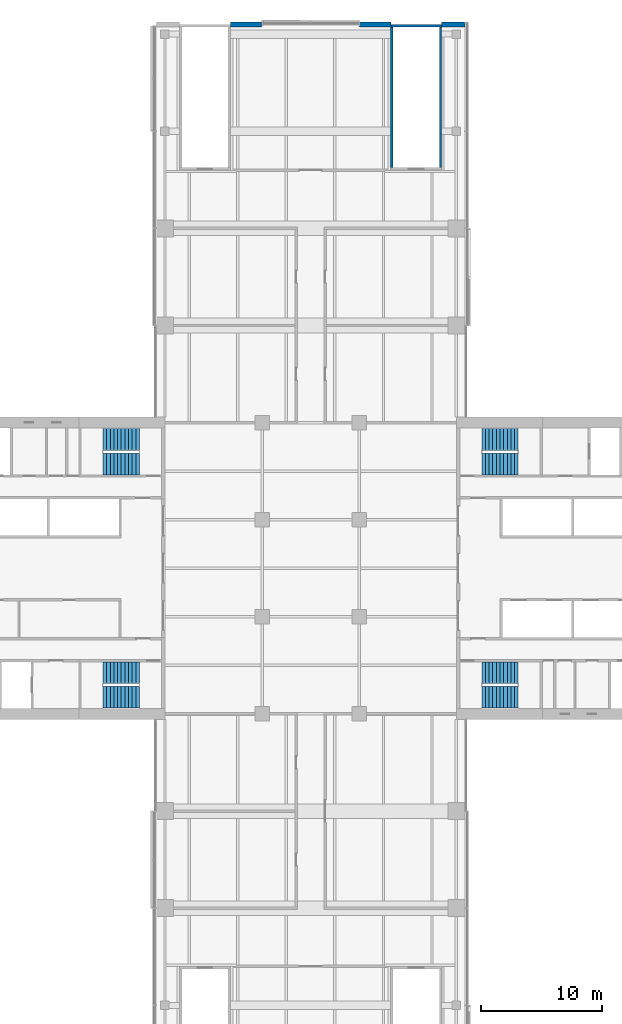
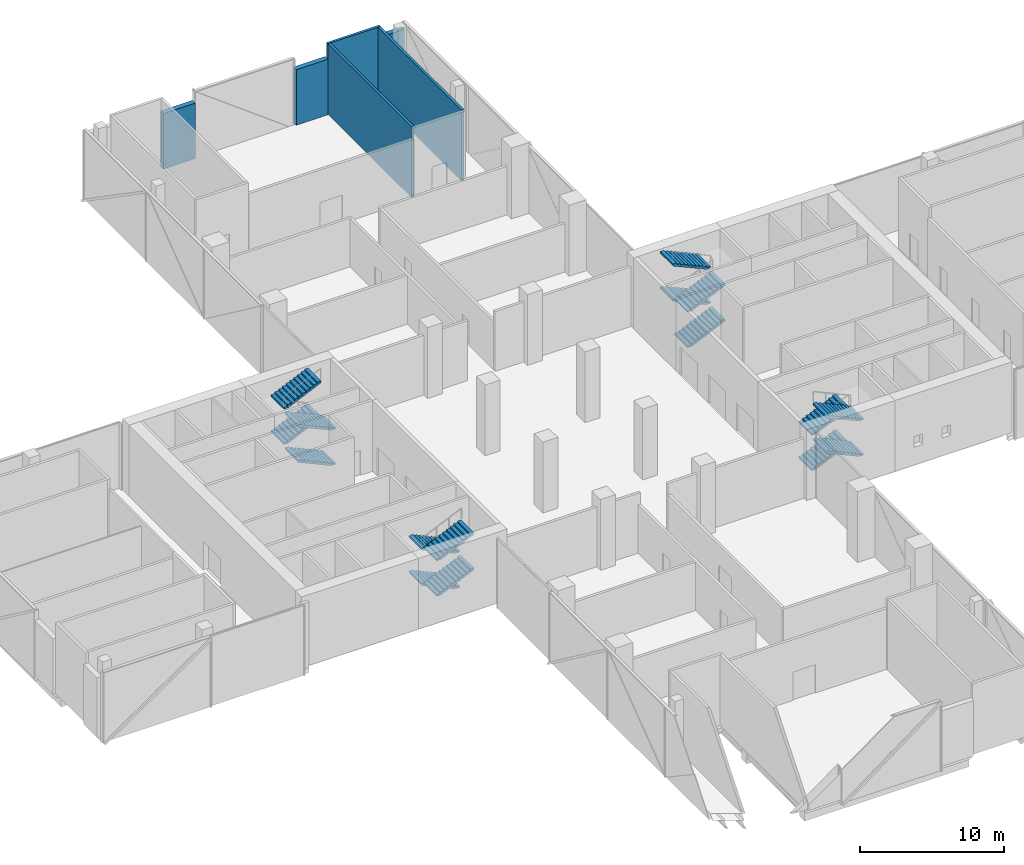
# One storey, part 18 of 23: 16 stair flights, 6 walls, 4 elements without a shape of their own.
"""IFC4 building model written with IfcOpenShell, lengths in metres."""

from ifc_helpers import new_model, si_unit, direction, frame, frame_2d, origin, place, context, subcontext, project, spatial, polyline, rectangle, outline, extrude, material, layer, layer_set, type_object, element, aggregate, save


model = new_model("IFC4")

# Units and contexts
model_context = context("Model", 3, precision=1e-05, world=origin(), true_north=direction((0.0, 1.0)))
body_context = subcontext(model_context, "Body", "Model", "MODEL_VIEW")
ifc_project = project(units=[si_unit("LENGTHUNIT", "METRE"), si_unit("AREAUNIT", "SQUARE_METRE"), si_unit("VOLUMEUNIT", "CUBIC_METRE"), si_unit("PLANEANGLEUNIT", "RADIAN"), si_unit("MASSUNIT", "GRAM", prefix="KILO")], contexts=[model_context])

# Site, building, storey
site_placement = place(None, origin())
site = spatial("IfcSite", under=ifc_project, at=site_placement, CompositionType="ELEMENT")
building_placement = place(site_placement, origin())
building = spatial("IfcBuilding", under=site, at=building_placement, Name="Crosswind Convention Tower", CompositionType="ELEMENT")
storey_placement = place(building_placement, frame((0.0, 0.0, 41.5)))
storey = spatial("IfcBuildingStorey", under=building, at=storey_placement, Name="L05", CompositionType="ELEMENT", Elevation=41.5)

# Walls
ifc_material_1 = material(Name="Concrete C40/50", Category="concrete")
ifc_layer_1 = layer(ifc_material_1, 0.199951171875)
ifc_layer_set_1 = layer_set([ifc_layer_1], Name="Concrete C40/50")
wall_type_1 = type_object("IfcWallType", Name="STAIR ENCLOSURE WALL 200", PredefinedType="SOLIDWALL", material=ifc_layer_set_1)
wall_1_placement = place(storey_placement, frame((131.60009765625, 144.699951171875, 0.0), z_axis=(0.0, 0.0, 1.0), x_axis=(1.0, 0.0, 0.0)))
element("IfcWall", 1, at=wall_1_placement, inside=storey, type_object=wall_type_1, Name="Stair Enclosure Wall 37", PredefinedType="SOLIDWALL", context=body_context, shape_type="SweptSolid", body=[
    extrude(rectangle(XDim=4.199951171875, YDim=0.199951171875, at=frame_2d((2.10009765625, 0.0))), origin(), (0.0, 0.0, 1.0), 6.0),
])
for number, where, z_axis, x_axis, name in (
    (2, (131.699951171875, 133.0, 0.0), (0.0, 0.0, 1.0), (0.0, 1.0, 0.0), "Stair Enclosure Wall 53"),
    (3, (135.699951171875, 133.0, 0.0), (0.0, 0.0, 1.0), (0.0, 1.0, 0.0), "Stair Enclosure Wall 55"),
):
    element("IfcWall", number, at=place(storey_placement, frame(where, z_axis=z_axis, x_axis=x_axis)), inside=storey, type_object=wall_type_1, Name=name, PredefinedType="SOLIDWALL", context=body_context, shape_type="SweptSolid", body=[
        extrude(rectangle(XDim=11.60009765625, YDim=0.199951171875, at=frame_2d((5.800048828125, 0.0))), origin(), (0.0, 0.0, 1.0), 6.0),
    ])
ifc_material_2 = material(Name="Terracotta rainscreen", Category="ceramic")
ifc_layer_2 = layer(ifc_material_2, 0.02001953125)
ifc_material_3 = material(Name="Mineral wool insulation", Category="insulation")
ifc_layer_3 = layer(ifc_material_3, 0.10009765625)
ifc_material_4 = material(Name="Concrete blockwork", Category="masonry")
ifc_layer_4 = layer(ifc_material_4, 0.280029296875)
ifc_layer_set_2 = layer_set([ifc_layer_2, ifc_layer_3, ifc_layer_4], Name="TERRACOTTA INFILL WALL 400")
wall_type_2 = type_object("IfcWallType", Name="TERRACOTTA INFILL WALL 400", PredefinedType="SOLIDWALL", material=ifc_layer_set_2)
wall_2_placement = place(storey_placement, frame((137.699951171875, 144.784912109375, 0.0), z_axis=(0.0, 0.0, 1.0), x_axis=(-1.0, 0.0, 0.0)))
element("IfcWall", 4, at=wall_2_placement, inside=storey, type_object=wall_type_2, Name="Stair enclosure side wall L05 N-TIP.1-1.1", PredefinedType="SOLIDWALL", context=body_context, shape_type="SweptSolid", body=[
    extrude(rectangle(XDim=1.89990234375, YDim=0.39990234375, at=frame_2d((0.949951171875, 0.0))), origin(), (0.0, 0.0, 1.0), 5.10009765625),
])
for number, where, z_axis, x_axis, name in (
    (5, (131.60009765625, 144.784912109375, 0.0), (0.0, 0.0, 1.0), (-1.0, 0.0, 0.0), "Stair enclosure side wall L05 N-TIP.1-1.2"),
    (6, (120.9599609375, 144.784912109375, 0.0), (0.0, 0.0, 1.0), (-1.0, 0.0, 0.0), "Stair enclosure side wall L05 N-TIP.1-3.1"),
):
    element("IfcWall", number, at=place(storey_placement, frame(where, z_axis=z_axis, x_axis=x_axis)), inside=storey, type_object=wall_type_2, Name=name, PredefinedType="SOLIDWALL", context=body_context, shape_type="SweptSolid", body=[
        extrude(rectangle(XDim=2.56005859375, YDim=0.39990234375, at=frame_2d((1.280029296875, 0.0))), origin(), (0.0, 0.0, 1.0), 4.699951171875),
    ])

# Stair, stair flights
stair_type = type_object("IfcStairType", Name="Exit stair 1800 wide, 4 flights of 11 risers", PredefinedType="HALF_TURN_STAIR", material=ifc_material_1)
stair_1_placement = place(storey_placement, origin())
stair_1 = element("IfcStair", 7, at=stair_1_placement, inside=storey, type_object=stair_type, Name="Exit stair ST1 L05", ObjectType="ST6", PredefinedType="HALF_TURN_STAIR")
stair_flight_type = type_object("IfcStairFlightType", Name="Stair flight 1800 wide, 11 risers (SF1)", PredefinedType="STRAIGHT", material=ifc_material_1)
stair_flight_1_placement = place(storey_placement, frame((139.10009765625, 108.60009765625, 0.0), z_axis=(0.0, 0.0, 1.0), x_axis=(1.0, 0.0, 0.0)))
stair_flight_1 = element("IfcStairFlight", 8, at=stair_flight_1_placement, type_object=stair_flight_type, Name="ST1 flight 1", NumberOfRisers=11, NumberOfTreads=10, PredefinedType="STRAIGHT", RiserHeight=0.136363636, TreadLength=0.3, context=body_context, shape_type="SweptSolid", body=[
    extrude(outline(polyline([(0.0, 0.0), (0.0, 0.136474609375), (0.300048828125, 0.136474609375), (0.300048828125, 0.272705078125), (0.60009765625, 0.272705078125), (0.60009765625, 0.4091796875), (0.89990234375, 0.4091796875), (0.89990234375, 0.54541015625), (1.199951171875, 0.54541015625), (1.199951171875, 0.681884765625), (1.5, 0.681884765625), (1.5, 0.818115234375), (1.800048828125, 0.818115234375), (1.800048828125, 0.95458984375), (2.10009765625, 0.95458984375), (2.10009765625, 1.0908203125), (2.39990234375, 1.0908203125), (2.39990234375, 1.227294921875), (2.699951171875, 1.227294921875), (2.699951171875, 1.363525390625), (3.0, 1.363525390625), (3.0, 1.5), (3.0, 1.198974609375), (0.3623046875, 0.0), (0.0, 0.0)])), frame((0.0, 0.89990234375, 0.0), z_axis=(0.0, -1.0, 0.0), x_axis=(1.0, 0.0, 0.0)), (0.0, 0.0, 1.0), 1.800048828125),
])
stair_flight_2_placement = place(storey_placement, frame((142.10009765625, 110.60009765625, 1.5), z_axis=(0.0, 0.0, 1.0), x_axis=(-1.0, 0.0, 0.0)))
stair_flight_2 = element("IfcStairFlight", 9, at=stair_flight_2_placement, type_object=stair_flight_type, Name="ST1 flight 2", NumberOfRisers=11, NumberOfTreads=10, PredefinedType="STRAIGHT", RiserHeight=0.136363636, TreadLength=0.3, context=body_context, shape_type="SweptSolid", body=[
    extrude(outline(polyline([(0.0, 0.0), (0.0, 0.136474609375), (0.300048828125, 0.136474609375), (0.300048828125, 0.272705078125), (0.60009765625, 0.272705078125), (0.60009765625, 0.4091796875), (0.89990234375, 0.4091796875), (0.89990234375, 0.54541015625), (1.199951171875, 0.54541015625), (1.199951171875, 0.681884765625), (1.5, 0.681884765625), (1.5, 0.818115234375), (1.800048828125, 0.818115234375), (1.800048828125, 0.95458984375), (2.10009765625, 0.95458984375), (2.10009765625, 1.0908203125), (2.39990234375, 1.0908203125), (2.39990234375, 1.227294921875), (2.699951171875, 1.227294921875), (2.699951171875, 1.363525390625), (3.0, 1.363525390625), (3.0, 1.5), (3.0, 1.198974609375), (0.3623046875, 0.0), (0.0, 0.0)])), frame((0.0, 0.89990234375, 0.0), z_axis=(0.0, -1.0, 0.0), x_axis=(1.0, 0.0, 0.0)), (0.0, 0.0, 1.0), 1.800048828125),
])
stair_flight_3_placement = place(storey_placement, frame((139.10009765625, 108.60009765625, 3.0), z_axis=(0.0, 0.0, 1.0), x_axis=(1.0, 0.0, 0.0)))
stair_flight_3 = element("IfcStairFlight", 10, at=stair_flight_3_placement, type_object=stair_flight_type, Name="ST1 flight 3", NumberOfRisers=11, NumberOfTreads=10, PredefinedType="STRAIGHT", RiserHeight=0.136363636, TreadLength=0.3, context=body_context, shape_type="SweptSolid", body=[
    extrude(outline(polyline([(0.0, 0.0), (0.0, 0.136474609375), (0.300048828125, 0.136474609375), (0.300048828125, 0.272705078125), (0.60009765625, 0.272705078125), (0.60009765625, 0.4091796875), (0.89990234375, 0.4091796875), (0.89990234375, 0.54541015625), (1.199951171875, 0.54541015625), (1.199951171875, 0.681884765625), (1.5, 0.681884765625), (1.5, 0.818115234375), (1.800048828125, 0.818115234375), (1.800048828125, 0.95458984375), (2.10009765625, 0.95458984375), (2.10009765625, 1.0908203125), (2.39990234375, 1.0908203125), (2.39990234375, 1.227294921875), (2.699951171875, 1.227294921875), (2.699951171875, 1.363525390625), (3.0, 1.363525390625), (3.0, 1.5), (3.0, 1.198974609375), (0.3623046875, 0.0), (0.0, 0.0)])), frame((0.0, 0.89990234375, 0.0), z_axis=(0.0, -1.0, 0.0), x_axis=(1.0, 0.0, 0.0)), (0.0, 0.0, 1.0), 1.800048828125),
])
stair_flight_4_placement = place(storey_placement, frame((142.10009765625, 110.60009765625, 4.5), z_axis=(0.0, 0.0, 1.0), x_axis=(-1.0, 0.0, 0.0)))
stair_flight_4 = element("IfcStairFlight", 11, at=stair_flight_4_placement, type_object=stair_flight_type, Name="ST1 flight 4", NumberOfRisers=11, NumberOfTreads=10, PredefinedType="STRAIGHT", RiserHeight=0.136363636, TreadLength=0.3, context=body_context, shape_type="SweptSolid", body=[
    extrude(outline(polyline([(0.0, 0.0), (0.0, 0.136474609375), (0.300048828125, 0.136474609375), (0.300048828125, 0.272705078125), (0.60009765625, 0.272705078125), (0.60009765625, 0.4091796875), (0.89990234375, 0.4091796875), (0.89990234375, 0.54541015625), (1.199951171875, 0.54541015625), (1.199951171875, 0.681884765625), (1.5, 0.681884765625), (1.5, 0.818115234375), (1.800048828125, 0.818115234375), (1.800048828125, 0.95458984375), (2.10009765625, 0.95458984375), (2.10009765625, 1.0908203125), (2.39990234375, 1.0908203125), (2.39990234375, 1.227294921875), (2.699951171875, 1.227294921875), (2.699951171875, 1.363525390625), (3.0, 1.363525390625), (3.0, 1.5), (3.0, 1.198974609375), (0.3623046875, 0.0), (0.0, 0.0)])), frame((0.0, 0.89990234375, 0.0), z_axis=(0.0, -1.0, 0.0), x_axis=(1.0, 0.0, 0.0)), (0.0, 0.0, 1.0), 1.800048828125),
])
aggregate(stair_1, [stair_flight_1, stair_flight_2, stair_flight_3, stair_flight_4])

stair_2_placement = place(storey_placement, origin())
stair_2 = element("IfcStair", 12, at=stair_2_placement, inside=storey, type_object=stair_type, Name="Exit stair ST2 L05", ObjectType="ST6", PredefinedType="HALF_TURN_STAIR")
stair_flight_5_placement = place(storey_placement, frame((139.10009765625, 91.39990234375, 0.0), z_axis=(0.0, 0.0, 1.0), x_axis=(1.0, 0.0, 0.0)))
stair_flight_5 = element("IfcStairFlight", 13, at=stair_flight_5_placement, type_object=stair_flight_type, Name="ST2 flight 1", NumberOfRisers=11, NumberOfTreads=10, PredefinedType="STRAIGHT", RiserHeight=0.136363636, TreadLength=0.3, context=body_context, shape_type="SweptSolid", body=[
    extrude(outline(polyline([(0.0, 0.0), (0.0, 0.136474609375), (0.300048828125, 0.136474609375), (0.300048828125, 0.272705078125), (0.60009765625, 0.272705078125), (0.60009765625, 0.4091796875), (0.89990234375, 0.4091796875), (0.89990234375, 0.54541015625), (1.199951171875, 0.54541015625), (1.199951171875, 0.681884765625), (1.5, 0.681884765625), (1.5, 0.818115234375), (1.800048828125, 0.818115234375), (1.800048828125, 0.95458984375), (2.10009765625, 0.95458984375), (2.10009765625, 1.0908203125), (2.39990234375, 1.0908203125), (2.39990234375, 1.227294921875), (2.699951171875, 1.227294921875), (2.699951171875, 1.363525390625), (3.0, 1.363525390625), (3.0, 1.5), (3.0, 1.198974609375), (0.3623046875, 0.0), (0.0, 0.0)])), frame((0.0, 0.89990234375, 0.0), z_axis=(0.0, -1.0, 0.0), x_axis=(1.0, 0.0, 0.0)), (0.0, 0.0, 1.0), 1.800048828125),
])
stair_flight_6_placement = place(storey_placement, frame((142.10009765625, 89.39990234375, 1.5), z_axis=(0.0, 0.0, 1.0), x_axis=(-1.0, 0.0, 0.0)))
stair_flight_6 = element("IfcStairFlight", 14, at=stair_flight_6_placement, type_object=stair_flight_type, Name="ST2 flight 2", NumberOfRisers=11, NumberOfTreads=10, PredefinedType="STRAIGHT", RiserHeight=0.136363636, TreadLength=0.3, context=body_context, shape_type="SweptSolid", body=[
    extrude(outline(polyline([(0.0, 0.0), (0.0, 0.136474609375), (0.300048828125, 0.136474609375), (0.300048828125, 0.272705078125), (0.60009765625, 0.272705078125), (0.60009765625, 0.4091796875), (0.89990234375, 0.4091796875), (0.89990234375, 0.54541015625), (1.199951171875, 0.54541015625), (1.199951171875, 0.681884765625), (1.5, 0.681884765625), (1.5, 0.818115234375), (1.800048828125, 0.818115234375), (1.800048828125, 0.95458984375), (2.10009765625, 0.95458984375), (2.10009765625, 1.0908203125), (2.39990234375, 1.0908203125), (2.39990234375, 1.227294921875), (2.699951171875, 1.227294921875), (2.699951171875, 1.363525390625), (3.0, 1.363525390625), (3.0, 1.5), (3.0, 1.198974609375), (0.3623046875, 0.0), (0.0, 0.0)])), frame((0.0, 0.89990234375, 0.0), z_axis=(0.0, -1.0, 0.0), x_axis=(1.0, 0.0, 0.0)), (0.0, 0.0, 1.0), 1.800048828125),
])
stair_flight_7_placement = place(storey_placement, frame((139.10009765625, 91.39990234375, 3.0), z_axis=(0.0, 0.0, 1.0), x_axis=(1.0, 0.0, 0.0)))
stair_flight_7 = element("IfcStairFlight", 15, at=stair_flight_7_placement, type_object=stair_flight_type, Name="ST2 flight 3", NumberOfRisers=11, NumberOfTreads=10, PredefinedType="STRAIGHT", RiserHeight=0.136363636, TreadLength=0.3, context=body_context, shape_type="SweptSolid", body=[
    extrude(outline(polyline([(0.0, 0.0), (0.0, 0.136474609375), (0.300048828125, 0.136474609375), (0.300048828125, 0.272705078125), (0.60009765625, 0.272705078125), (0.60009765625, 0.4091796875), (0.89990234375, 0.4091796875), (0.89990234375, 0.54541015625), (1.199951171875, 0.54541015625), (1.199951171875, 0.681884765625), (1.5, 0.681884765625), (1.5, 0.818115234375), (1.800048828125, 0.818115234375), (1.800048828125, 0.95458984375), (2.10009765625, 0.95458984375), (2.10009765625, 1.0908203125), (2.39990234375, 1.0908203125), (2.39990234375, 1.227294921875), (2.699951171875, 1.227294921875), (2.699951171875, 1.363525390625), (3.0, 1.363525390625), (3.0, 1.5), (3.0, 1.198974609375), (0.3623046875, 0.0), (0.0, 0.0)])), frame((0.0, 0.89990234375, 0.0), z_axis=(0.0, -1.0, 0.0), x_axis=(1.0, 0.0, 0.0)), (0.0, 0.0, 1.0), 1.800048828125),
])
stair_flight_8_placement = place(storey_placement, frame((142.10009765625, 89.39990234375, 4.5), z_axis=(0.0, 0.0, 1.0), x_axis=(-1.0, 0.0, 0.0)))
stair_flight_8 = element("IfcStairFlight", 16, at=stair_flight_8_placement, type_object=stair_flight_type, Name="ST2 flight 4", NumberOfRisers=11, NumberOfTreads=10, PredefinedType="STRAIGHT", RiserHeight=0.136363636, TreadLength=0.3, context=body_context, shape_type="SweptSolid", body=[
    extrude(outline(polyline([(0.0, 0.0), (0.0, 0.136474609375), (0.300048828125, 0.136474609375), (0.300048828125, 0.272705078125), (0.60009765625, 0.272705078125), (0.60009765625, 0.4091796875), (0.89990234375, 0.4091796875), (0.89990234375, 0.54541015625), (1.199951171875, 0.54541015625), (1.199951171875, 0.681884765625), (1.5, 0.681884765625), (1.5, 0.818115234375), (1.800048828125, 0.818115234375), (1.800048828125, 0.95458984375), (2.10009765625, 0.95458984375), (2.10009765625, 1.0908203125), (2.39990234375, 1.0908203125), (2.39990234375, 1.227294921875), (2.699951171875, 1.227294921875), (2.699951171875, 1.363525390625), (3.0, 1.363525390625), (3.0, 1.5), (3.0, 1.198974609375), (0.3623046875, 0.0), (0.0, 0.0)])), frame((0.0, 0.89990234375, 0.0), z_axis=(0.0, -1.0, 0.0), x_axis=(1.0, 0.0, 0.0)), (0.0, 0.0, 1.0), 1.800048828125),
])
aggregate(stair_2, [stair_flight_5, stair_flight_6, stair_flight_7, stair_flight_8])

stair_3_placement = place(storey_placement, origin())
stair_3 = element("IfcStair", 17, at=stair_3_placement, inside=storey, type_object=stair_type, Name="Exit stair ST3 L05", ObjectType="ST6", PredefinedType="HALF_TURN_STAIR")
stair_flight_9_placement = place(storey_placement, frame((110.89990234375, 91.39990234375, 0.0), z_axis=(0.0, 0.0, 1.0), x_axis=(-1.0, 0.0, 0.0)))
stair_flight_9 = element("IfcStairFlight", 18, at=stair_flight_9_placement, type_object=stair_flight_type, Name="ST3 flight 1", NumberOfRisers=11, NumberOfTreads=10, PredefinedType="STRAIGHT", RiserHeight=0.136363636, TreadLength=0.3, context=body_context, shape_type="SweptSolid", body=[
    extrude(outline(polyline([(0.0, 0.0), (0.0, 0.136474609375), (0.300048828125, 0.136474609375), (0.300048828125, 0.272705078125), (0.60009765625, 0.272705078125), (0.60009765625, 0.4091796875), (0.89990234375, 0.4091796875), (0.89990234375, 0.54541015625), (1.199951171875, 0.54541015625), (1.199951171875, 0.681884765625), (1.5, 0.681884765625), (1.5, 0.818115234375), (1.800048828125, 0.818115234375), (1.800048828125, 0.95458984375), (2.10009765625, 0.95458984375), (2.10009765625, 1.0908203125), (2.39990234375, 1.0908203125), (2.39990234375, 1.227294921875), (2.699951171875, 1.227294921875), (2.699951171875, 1.363525390625), (3.0, 1.363525390625), (3.0, 1.5), (3.0, 1.198974609375), (0.3623046875, 0.0), (0.0, 0.0)])), frame((0.0, 0.89990234375, 0.0), z_axis=(0.0, -1.0, 0.0), x_axis=(1.0, 0.0, 0.0)), (0.0, 0.0, 1.0), 1.800048828125),
])
stair_flight_10_placement = place(storey_placement, frame((107.89990234375, 89.39990234375, 1.5), z_axis=(0.0, 0.0, 1.0), x_axis=(1.0, 0.0, 0.0)))
stair_flight_10 = element("IfcStairFlight", 19, at=stair_flight_10_placement, type_object=stair_flight_type, Name="ST3 flight 2", NumberOfRisers=11, NumberOfTreads=10, PredefinedType="STRAIGHT", RiserHeight=0.136363636, TreadLength=0.3, context=body_context, shape_type="SweptSolid", body=[
    extrude(outline(polyline([(0.0, 0.0), (0.0, 0.136474609375), (0.300048828125, 0.136474609375), (0.300048828125, 0.272705078125), (0.60009765625, 0.272705078125), (0.60009765625, 0.4091796875), (0.89990234375, 0.4091796875), (0.89990234375, 0.54541015625), (1.199951171875, 0.54541015625), (1.199951171875, 0.681884765625), (1.5, 0.681884765625), (1.5, 0.818115234375), (1.800048828125, 0.818115234375), (1.800048828125, 0.95458984375), (2.10009765625, 0.95458984375), (2.10009765625, 1.0908203125), (2.39990234375, 1.0908203125), (2.39990234375, 1.227294921875), (2.699951171875, 1.227294921875), (2.699951171875, 1.363525390625), (3.0, 1.363525390625), (3.0, 1.5), (3.0, 1.198974609375), (0.3623046875, 0.0), (0.0, 0.0)])), frame((0.0, 0.89990234375, 0.0), z_axis=(0.0, -1.0, 0.0), x_axis=(1.0, 0.0, 0.0)), (0.0, 0.0, 1.0), 1.800048828125),
])
stair_flight_11_placement = place(storey_placement, frame((110.89990234375, 91.39990234375, 3.0), z_axis=(0.0, 0.0, 1.0), x_axis=(-1.0, 0.0, 0.0)))
stair_flight_11 = element("IfcStairFlight", 20, at=stair_flight_11_placement, type_object=stair_flight_type, Name="ST3 flight 3", NumberOfRisers=11, NumberOfTreads=10, PredefinedType="STRAIGHT", RiserHeight=0.136363636, TreadLength=0.3, context=body_context, shape_type="SweptSolid", body=[
    extrude(outline(polyline([(0.0, 0.0), (0.0, 0.136474609375), (0.300048828125, 0.136474609375), (0.300048828125, 0.272705078125), (0.60009765625, 0.272705078125), (0.60009765625, 0.4091796875), (0.89990234375, 0.4091796875), (0.89990234375, 0.54541015625), (1.199951171875, 0.54541015625), (1.199951171875, 0.681884765625), (1.5, 0.681884765625), (1.5, 0.818115234375), (1.800048828125, 0.818115234375), (1.800048828125, 0.95458984375), (2.10009765625, 0.95458984375), (2.10009765625, 1.0908203125), (2.39990234375, 1.0908203125), (2.39990234375, 1.227294921875), (2.699951171875, 1.227294921875), (2.699951171875, 1.363525390625), (3.0, 1.363525390625), (3.0, 1.5), (3.0, 1.198974609375), (0.3623046875, 0.0), (0.0, 0.0)])), frame((0.0, 0.89990234375, 0.0), z_axis=(0.0, -1.0, 0.0), x_axis=(1.0, 0.0, 0.0)), (0.0, 0.0, 1.0), 1.800048828125),
])
stair_flight_12_placement = place(storey_placement, frame((107.89990234375, 89.39990234375, 4.5), z_axis=(0.0, 0.0, 1.0), x_axis=(1.0, 0.0, 0.0)))
stair_flight_12 = element("IfcStairFlight", 21, at=stair_flight_12_placement, type_object=stair_flight_type, Name="ST3 flight 4", NumberOfRisers=11, NumberOfTreads=10, PredefinedType="STRAIGHT", RiserHeight=0.136363636, TreadLength=0.3, context=body_context, shape_type="SweptSolid", body=[
    extrude(outline(polyline([(0.0, 0.0), (0.0, 0.136474609375), (0.300048828125, 0.136474609375), (0.300048828125, 0.272705078125), (0.60009765625, 0.272705078125), (0.60009765625, 0.4091796875), (0.89990234375, 0.4091796875), (0.89990234375, 0.54541015625), (1.199951171875, 0.54541015625), (1.199951171875, 0.681884765625), (1.5, 0.681884765625), (1.5, 0.818115234375), (1.800048828125, 0.818115234375), (1.800048828125, 0.95458984375), (2.10009765625, 0.95458984375), (2.10009765625, 1.0908203125), (2.39990234375, 1.0908203125), (2.39990234375, 1.227294921875), (2.699951171875, 1.227294921875), (2.699951171875, 1.363525390625), (3.0, 1.363525390625), (3.0, 1.5), (3.0, 1.198974609375), (0.3623046875, 0.0), (0.0, 0.0)])), frame((0.0, 0.89990234375, 0.0), z_axis=(0.0, -1.0, 0.0), x_axis=(1.0, 0.0, 0.0)), (0.0, 0.0, 1.0), 1.800048828125),
])
aggregate(stair_3, [stair_flight_9, stair_flight_10, stair_flight_11, stair_flight_12])

stair_4_placement = place(storey_placement, origin())
stair_4 = element("IfcStair", 22, at=stair_4_placement, inside=storey, type_object=stair_type, Name="Exit stair ST4 L05", ObjectType="ST6", PredefinedType="HALF_TURN_STAIR")
stair_flight_13_placement = place(storey_placement, frame((110.89990234375, 108.60009765625, 0.0), z_axis=(0.0, 0.0, 1.0), x_axis=(-1.0, 0.0, 0.0)))
stair_flight_13 = element("IfcStairFlight", 23, at=stair_flight_13_placement, type_object=stair_flight_type, Name="ST4 flight 1", NumberOfRisers=11, NumberOfTreads=10, PredefinedType="STRAIGHT", RiserHeight=0.136363636, TreadLength=0.3, context=body_context, shape_type="SweptSolid", body=[
    extrude(outline(polyline([(0.0, 0.0), (0.0, 0.136474609375), (0.300048828125, 0.136474609375), (0.300048828125, 0.272705078125), (0.60009765625, 0.272705078125), (0.60009765625, 0.4091796875), (0.89990234375, 0.4091796875), (0.89990234375, 0.54541015625), (1.199951171875, 0.54541015625), (1.199951171875, 0.681884765625), (1.5, 0.681884765625), (1.5, 0.818115234375), (1.800048828125, 0.818115234375), (1.800048828125, 0.95458984375), (2.10009765625, 0.95458984375), (2.10009765625, 1.0908203125), (2.39990234375, 1.0908203125), (2.39990234375, 1.227294921875), (2.699951171875, 1.227294921875), (2.699951171875, 1.363525390625), (3.0, 1.363525390625), (3.0, 1.5), (3.0, 1.198974609375), (0.3623046875, 0.0), (0.0, 0.0)])), frame((0.0, 0.89990234375, 0.0), z_axis=(0.0, -1.0, 0.0), x_axis=(1.0, 0.0, 0.0)), (0.0, 0.0, 1.0), 1.800048828125),
])
stair_flight_14_placement = place(storey_placement, frame((107.89990234375, 110.60009765625, 1.5), z_axis=(0.0, 0.0, 1.0), x_axis=(1.0, 0.0, 0.0)))
stair_flight_14 = element("IfcStairFlight", 24, at=stair_flight_14_placement, type_object=stair_flight_type, Name="ST4 flight 2", NumberOfRisers=11, NumberOfTreads=10, PredefinedType="STRAIGHT", RiserHeight=0.136363636, TreadLength=0.3, context=body_context, shape_type="SweptSolid", body=[
    extrude(outline(polyline([(0.0, 0.0), (0.0, 0.136474609375), (0.300048828125, 0.136474609375), (0.300048828125, 0.272705078125), (0.60009765625, 0.272705078125), (0.60009765625, 0.4091796875), (0.89990234375, 0.4091796875), (0.89990234375, 0.54541015625), (1.199951171875, 0.54541015625), (1.199951171875, 0.681884765625), (1.5, 0.681884765625), (1.5, 0.818115234375), (1.800048828125, 0.818115234375), (1.800048828125, 0.95458984375), (2.10009765625, 0.95458984375), (2.10009765625, 1.0908203125), (2.39990234375, 1.0908203125), (2.39990234375, 1.227294921875), (2.699951171875, 1.227294921875), (2.699951171875, 1.363525390625), (3.0, 1.363525390625), (3.0, 1.5), (3.0, 1.198974609375), (0.3623046875, 0.0), (0.0, 0.0)])), frame((0.0, 0.89990234375, 0.0), z_axis=(0.0, -1.0, 0.0), x_axis=(1.0, 0.0, 0.0)), (0.0, 0.0, 1.0), 1.800048828125),
])
stair_flight_15_placement = place(storey_placement, frame((110.89990234375, 108.60009765625, 3.0), z_axis=(0.0, 0.0, 1.0), x_axis=(-1.0, 0.0, 0.0)))
stair_flight_15 = element("IfcStairFlight", 25, at=stair_flight_15_placement, type_object=stair_flight_type, Name="ST4 flight 3", NumberOfRisers=11, NumberOfTreads=10, PredefinedType="STRAIGHT", RiserHeight=0.136363636, TreadLength=0.3, context=body_context, shape_type="SweptSolid", body=[
    extrude(outline(polyline([(0.0, 0.0), (0.0, 0.136474609375), (0.300048828125, 0.136474609375), (0.300048828125, 0.272705078125), (0.60009765625, 0.272705078125), (0.60009765625, 0.4091796875), (0.89990234375, 0.4091796875), (0.89990234375, 0.54541015625), (1.199951171875, 0.54541015625), (1.199951171875, 0.681884765625), (1.5, 0.681884765625), (1.5, 0.818115234375), (1.800048828125, 0.818115234375), (1.800048828125, 0.95458984375), (2.10009765625, 0.95458984375), (2.10009765625, 1.0908203125), (2.39990234375, 1.0908203125), (2.39990234375, 1.227294921875), (2.699951171875, 1.227294921875), (2.699951171875, 1.363525390625), (3.0, 1.363525390625), (3.0, 1.5), (3.0, 1.198974609375), (0.3623046875, 0.0), (0.0, 0.0)])), frame((0.0, 0.89990234375, 0.0), z_axis=(0.0, -1.0, 0.0), x_axis=(1.0, 0.0, 0.0)), (0.0, 0.0, 1.0), 1.800048828125),
])
stair_flight_16_placement = place(storey_placement, frame((107.89990234375, 110.60009765625, 4.5), z_axis=(0.0, 0.0, 1.0), x_axis=(1.0, 0.0, 0.0)))
stair_flight_16 = element("IfcStairFlight", 26, at=stair_flight_16_placement, type_object=stair_flight_type, Name="ST4 flight 4", NumberOfRisers=11, NumberOfTreads=10, PredefinedType="STRAIGHT", RiserHeight=0.136363636, TreadLength=0.3, context=body_context, shape_type="SweptSolid", body=[
    extrude(outline(polyline([(0.0, 0.0), (0.0, 0.136474609375), (0.300048828125, 0.136474609375), (0.300048828125, 0.272705078125), (0.60009765625, 0.272705078125), (0.60009765625, 0.4091796875), (0.89990234375, 0.4091796875), (0.89990234375, 0.54541015625), (1.199951171875, 0.54541015625), (1.199951171875, 0.681884765625), (1.5, 0.681884765625), (1.5, 0.818115234375), (1.800048828125, 0.818115234375), (1.800048828125, 0.95458984375), (2.10009765625, 0.95458984375), (2.10009765625, 1.0908203125), (2.39990234375, 1.0908203125), (2.39990234375, 1.227294921875), (2.699951171875, 1.227294921875), (2.699951171875, 1.363525390625), (3.0, 1.363525390625), (3.0, 1.5), (3.0, 1.198974609375), (0.3623046875, 0.0), (0.0, 0.0)])), frame((0.0, 0.89990234375, 0.0), z_axis=(0.0, -1.0, 0.0), x_axis=(1.0, 0.0, 0.0)), (0.0, 0.0, 1.0), 1.800048828125),
])
aggregate(stair_4, [stair_flight_13, stair_flight_14, stair_flight_15, stair_flight_16])

save(model, "model.ifc")
